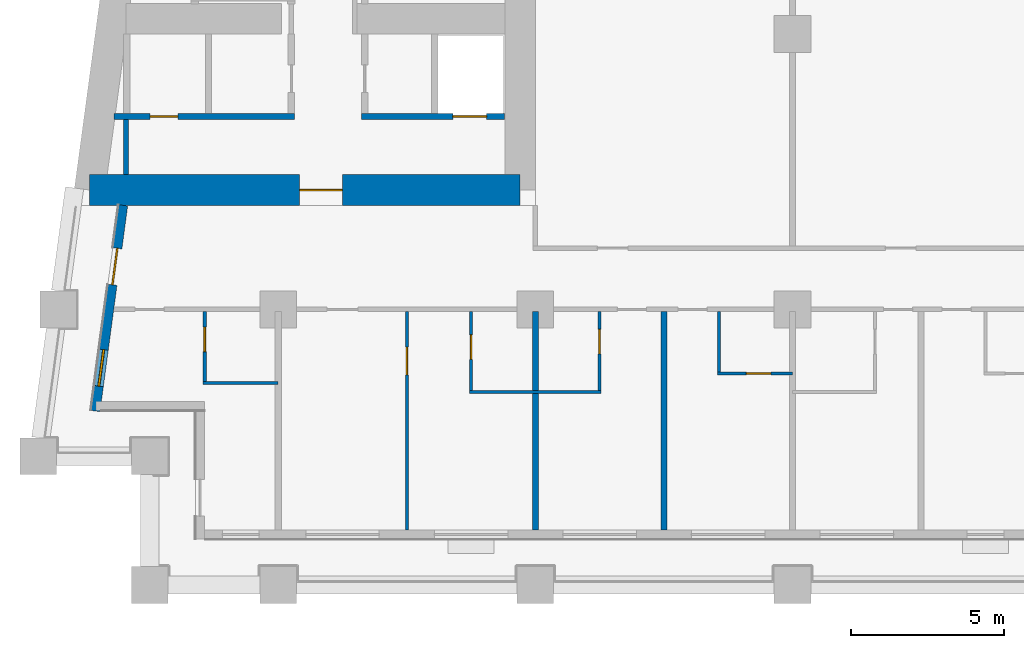
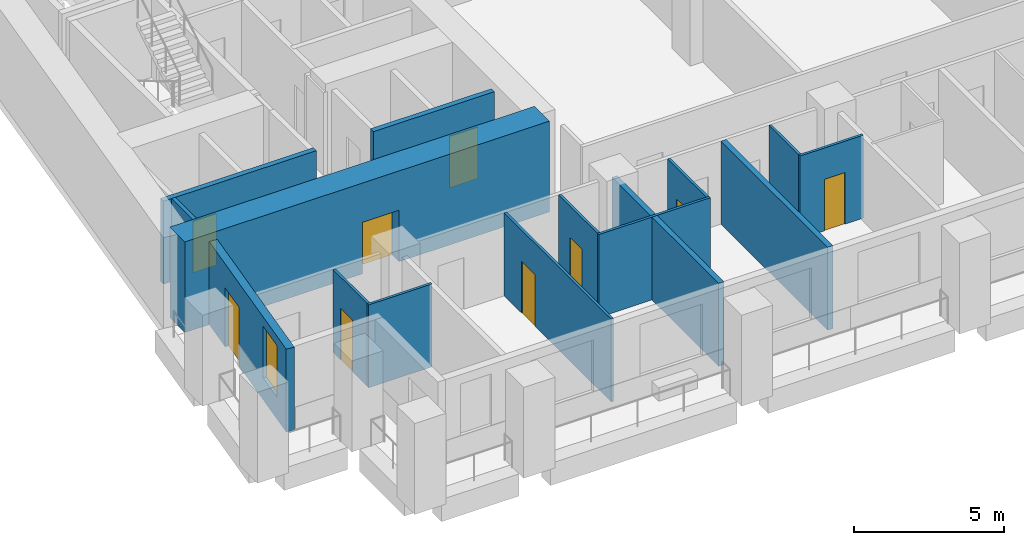
# One storey, part 2 of 13: 15 walls, 9 doors, 1 window, 10 openings.
"""IFC4 building model written with IfcOpenShell, lengths in metres."""

from ifc_helpers import new_model, si_unit, direction, frame, frame_2d, origin, place, context, subcontext, project, spatial, rectangle, extrude, material, layer, layer_set, type_object, element, fill, save


model = new_model("IFC4")

# Units and contexts
model_context = context("Model", 3, precision=1e-05, world=origin(), true_north=direction((0.0, 1.0)))
body_context = subcontext(model_context, "Body", "Model", "MODEL_VIEW")
ifc_project = project(units=[si_unit("LENGTHUNIT", "METRE"), si_unit("AREAUNIT", "SQUARE_METRE"), si_unit("VOLUMEUNIT", "CUBIC_METRE"), si_unit("PLANEANGLEUNIT", "RADIAN"), si_unit("MASSUNIT", "GRAM", prefix="KILO")], contexts=[model_context])

# Site, building, storey
site_placement = place(None, origin())
site = spatial("IfcSite", under=ifc_project, at=site_placement, CompositionType="ELEMENT")
building_placement = place(site_placement, origin())
building = spatial("IfcBuilding", under=site, at=building_placement, Name="Candeia Pilgrim Tower and Theatre", CompositionType="ELEMENT")
storey_placement = place(building_placement, frame((0.0, 0.0, 94.699951171875)))
storey = spatial("IfcBuildingStorey", under=building, at=storey_placement, Name="L21", CompositionType="ELEMENT", Elevation=94.699951171875)

# Wall, opening, door
ifc_material_1 = material(Name="Concrete C70/85", Category="concrete")
ifc_layer_1 = layer(ifc_material_1, 1.0)
ifc_layer_set_1 = layer_set([ifc_layer_1], Name="Core wall 1000 C70/85")
wall_type_1 = type_object("IfcWallType", Name="Core wall 1000 C70/85", PredefinedType="SHEAR", material=ifc_layer_set_1)
wall_1_placement = place(storey_placement, frame((100.300048828125, 110.89990234375, 0.0), z_axis=(0.0, 0.0, 1.0), x_axis=(-1.0, 0.0, 0.0)))
wall_1 = element("IfcWall", 1, at=wall_1_placement, inside=storey, type_object=wall_type_1, Name="Core wall W3", PredefinedType="SHEAR", context=body_context, shape_type="SweptSolid", body=[
    extrude(rectangle(XDim=14.05908203125, YDim=1.0, at=frame_2d((7.029541015625, 0.0))), origin(), (0.0, 0.0, 1.0), 3.699951171875),
])
opening_1_placement = place(wall_1_placement, frame((5.801513671875, 0.0, 0.0)))
opening_1 = element("IfcOpeningElement", 2, at=opening_1_placement, cuts=wall_1, Name="Opening L21-D057", PredefinedType="OPENING", context=body_context, shape_type="SweptSolid", body=[
    extrude(rectangle(XDim=1.39990234375, YDim=2.10009765625, at=frame_2d((0.699951171875, 1.050048828125))), frame((0.0, 0.510009765625, 0.0), z_axis=(0.0, -1.0, 0.0), x_axis=(1.0, 0.0, 0.0)), (0.0, 0.0, 1.0), 1.02001953125),
])
ifc_material_2 = material(Name="Steel fire door set", Category="steel")
door_type_1 = type_object("IfcDoorType", Name="D-1400-FD60", OperationType="NOTDEFINED", PredefinedType="DOOR", material=ifc_material_2)
door_1_placement = place(opening_1_placement, origin())
door_1 = element("IfcDoor", 3, at=door_1_placement, inside=storey, type_object=door_type_1, Name="Door L21-D057", OperationType="SINGLE_SWING_RIGHT", OverallHeight=2.10009765625, OverallWidth=1.39990234375, PredefinedType="DOOR", context=body_context, shape_type="SweptSolid", body=[
    extrude(rectangle(XDim=1.39990234375, YDim=2.10009765625, at=frame_2d((0.699951171875, 1.050048828125))), frame((0.0, 0.02490234375, 0.0), z_axis=(0.0, -1.0, 0.0), x_axis=(1.0, 0.0, 0.0)), (0.0, 0.0, 1.0), 0.050048828125),
])
fill(opening_1, door_1)

# Wall, openings, door, window
ifc_material_3 = material(Name="Ceramic block masonry", Category="masonry")
ifc_layer_2 = layer(ifc_material_3, 0.300048828125)
ifc_layer_set_2 = layer_set([ifc_layer_2], Name="EW1 glazing-line wall 300")
wall_type_2 = type_object("IfcWallType", Name="EW1 glazing-line wall 300", PredefinedType="SOLIDWALL", material=ifc_layer_set_2)
wall_2_placement = place(storey_placement, frame((87.334228515625, 110.39990234375, 0.0), z_axis=(0.0, 0.0, 1.0), x_axis=(-0.133437175554, -0.991057273915, 0.0)))
wall_2 = element("IfcWall", 4, at=wall_2_placement, inside=storey, type_object=wall_type_2, Name="External wall L21-9.1", PredefinedType="SOLIDWALL", context=body_context, shape_type="SweptSolid", body=[
    extrude(rectangle(XDim=6.780517578125, YDim=0.300048828125, at=frame_2d((3.39013671875, 0.0))), origin(), (0.0, 0.0, 1.0), 3.380126953125),
])
opening_2_placement = place(wall_2_placement, frame((1.41796875, 0.0, 0.0)))
opening_2 = element("IfcOpeningElement", 5, at=opening_2_placement, cuts=wall_2, Name="Opening L21-ED223", PredefinedType="OPENING", context=body_context, shape_type="SweptSolid", body=[
    extrude(rectangle(XDim=1.199951171875, YDim=2.39990234375, at=frame_2d((0.60009765625, 1.199951171875))), frame((0.0, 0.16015625, 0.0), z_axis=(0.0, -1.0, 0.0), x_axis=(1.0, 0.0, 0.0)), (0.0, 0.0, 1.0), 0.320068359375),
])
opening_3_placement = place(wall_2_placement, frame((4.75830078125, 0.0, 0.89990234375)))
opening_3 = element("IfcOpeningElement", 6, at=opening_3_placement, cuts=wall_2, Name="Opening W-B", PredefinedType="OPENING", context=body_context, shape_type="SweptSolid", body=[
    extrude(rectangle(XDim=1.199951171875, YDim=2.10009765625, at=frame_2d((0.60009765625, 1.050048828125))), frame((0.0, 0.16015625, 0.0), z_axis=(0.0, -1.0, 0.0), x_axis=(1.0, 0.0, 0.0)), (0.0, 0.0, 1.0), 0.320068359375),
])
ifc_material_4 = material(Name="Aluminium framed glazed door", Category="aluminium")
door_type_2 = type_object("IfcDoorType", Name="Loggia door 1200x2400", OperationType="DOUBLE_DOOR_SINGLE_SWING", PredefinedType="DOOR", material=ifc_material_4)
door_2_placement = place(opening_2_placement, origin())
door_2 = element("IfcDoor", 7, at=door_2_placement, inside=storey, type_object=door_type_2, Name="Loggia door L21-ED223", OperationType="DOUBLE_DOOR_SINGLE_SWING", OverallHeight=2.39990234375, OverallWidth=1.199951171875, PredefinedType="DOOR", context=body_context, shape_type="SweptSolid", body=[
    extrude(rectangle(XDim=1.199951171875, YDim=2.39990234375, at=frame_2d((0.60009765625, 1.199951171875))), frame((0.0, 0.02490234375, 0.0), z_axis=(0.0, -1.0, 0.0), x_axis=(1.0, 0.0, 0.0)), (0.0, 0.0, 1.0), 0.050048828125),
])
fill(opening_2, door_2)
ifc_material_5 = material(Name="Aluminium framed double glazing", Category="aluminium")
window_type = type_object("IfcWindowType", Name="W-B window 1200x2100", PartitioningType="SINGLE_PANEL", PredefinedType="WINDOW", material=ifc_material_5)
window_placement = place(opening_3_placement, origin())
window = element("IfcWindow", 8, at=window_placement, inside=storey, type_object=window_type, Name="Window W-B L21", OverallHeight=2.10009765625, OverallWidth=1.199951171875, PartitioningType="SINGLE_PANEL", PredefinedType="WINDOW", context=body_context, shape_type="SweptSolid", body=[
    extrude(rectangle(XDim=1.199951171875, YDim=2.10009765625, at=frame_2d((0.60009765625, 1.050048828125))), frame((0.0, 0.030029296875, 0.0), z_axis=(0.0, -1.0, 0.0), x_axis=(1.0, 0.0, 0.0)), (0.0, 0.0, 1.0), 0.06005859375),
])
fill(opening_3, window)

# Walls
ifc_material_6 = material(Name="Gypsum board partition on steel studs", Category="steel")
ifc_layer_3 = layer(ifc_material_6, 0.10009765625)
ifc_layer_set_3 = layer_set([ifc_layer_3], Name="PW-100 room partition")
wall_type_3 = type_object("IfcWallType", Name="PW-100 room partition", PredefinedType="PARTITIONING", material=ifc_layer_set_3)
wall_3_placement = place(storey_placement, frame((98.64990234375, 104.300048828125, 0.0), z_axis=(0.0, 0.0, 1.0), x_axis=(1.0, 0.0, 0.0)))
element("IfcWall", 9, at=wall_3_placement, inside=storey, type_object=wall_type_3, Name="Room partition L21-001", PredefinedType="PARTITIONING", context=body_context, shape_type="SweptSolid", body=[
    extrude(rectangle(XDim=4.300048828125, YDim=0.10009765625, at=frame_2d((2.14990234375, 0.0))), origin(), (0.0, 0.0, 1.0), 3.380126953125),
])
wall_4_placement = place(storey_placement, frame((89.949951171875, 104.60009765625, 0.0), z_axis=(0.0, 0.0, 1.0), x_axis=(1.0, 0.0, 0.0)))
element("IfcWall", 10, at=wall_4_placement, inside=storey, type_object=wall_type_3, Name="Room partition L21-004", PredefinedType="PARTITIONING", context=body_context, shape_type="SweptSolid", body=[
    extrude(rectangle(XDim=2.449951171875, YDim=0.10009765625, at=frame_2d((1.22509765625, 0.0))), origin(), (0.0, 0.0, 1.0), 3.380126953125),
])

# Wall, opening, door
wall_5_placement = place(storey_placement, frame((106.75, 104.89990234375, 0.0), z_axis=(0.0, 0.0, 1.0), x_axis=(1.0, 0.0, 0.0)))
wall_5 = element("IfcWall", 11, at=wall_5_placement, inside=storey, type_object=wall_type_3, Name="Room partition L21-007", PredefinedType="PARTITIONING", context=body_context, shape_type="SweptSolid", body=[
    extrude(rectangle(XDim=2.449951171875, YDim=0.10009765625, at=frame_2d((1.22509765625, 0.0))), origin(), (0.0, 0.0, 1.0), 3.380126953125),
])
opening_4_placement = place(wall_5_placement, frame((0.93994140625, 0.0, 0.0)))
opening_4 = element("IfcOpeningElement", 12, at=opening_4_placement, cuts=wall_5, Name="Opening L21-D025", PredefinedType="OPENING", context=body_context, shape_type="SweptSolid", body=[
    extrude(rectangle(XDim=0.800048828125, YDim=2.10009765625, at=frame_2d((0.39990234375, 1.050048828125))), frame((0.0, 0.06005859375, 0.0), z_axis=(0.0, -1.0, 0.0), x_axis=(1.0, 0.0, 0.0)), (0.0, 0.0, 1.0), 0.1201171875),
])
ifc_material_7 = material(Name="Timber door leaf", Category="wood")
door_type_3 = type_object("IfcDoorType", Name="D-800", OperationType="NOTDEFINED", PredefinedType="DOOR", material=ifc_material_7)
door_3_placement = place(opening_4_placement, origin())
door_3 = element("IfcDoor", 13, at=door_3_placement, inside=storey, type_object=door_type_3, Name="Door L21-D025", OperationType="SINGLE_SWING_RIGHT", OverallHeight=2.10009765625, OverallWidth=0.800048828125, PredefinedType="DOOR", context=body_context, shape_type="SweptSolid", body=[
    extrude(rectangle(XDim=0.800048828125, YDim=2.10009765625, at=frame_2d((0.39990234375, 1.050048828125))), frame((0.0, 0.02490234375, 0.0), z_axis=(0.0, -1.0, 0.0), x_axis=(1.0, 0.0, 0.0)), (0.0, 0.0, 1.0), 0.050048828125),
])
fill(opening_4, door_3)

wall_6_placement = place(storey_placement, frame((90.0, 104.64990234375, 0.0), z_axis=(0.0, 0.0, 1.0), x_axis=(0.0, 1.0, 0.0)))
wall_6 = element("IfcWall", 14, at=wall_6_placement, inside=storey, type_object=wall_type_3, Name="Room partition L21-053", PredefinedType="PARTITIONING", context=body_context, shape_type="SweptSolid", body=[
    extrude(rectangle(XDim=2.275146484375, YDim=0.10009765625, at=frame_2d((1.1376953125, 0.0))), origin(), (0.0, 0.0, 1.0), 3.380126953125),
])
opening_5_placement = place(wall_6_placement, frame((0.97509765625, 0.0, 0.0)))
opening_5 = element("IfcOpeningElement", 15, at=opening_5_placement, cuts=wall_6, Name="Opening L21-D018", PredefinedType="OPENING", context=body_context, shape_type="SweptSolid", body=[
    extrude(rectangle(XDim=0.800048828125, YDim=2.10009765625, at=frame_2d((0.39990234375, 1.050048828125))), frame((0.0, 0.06005859375, 0.0), z_axis=(0.0, -1.0, 0.0), x_axis=(1.0, 0.0, 0.0)), (0.0, 0.0, 1.0), 0.1201171875),
])
door_4_placement = place(opening_5_placement, origin())
door_4 = element("IfcDoor", 16, at=door_4_placement, inside=storey, type_object=door_type_3, Name="Door L21-D018", OperationType="SINGLE_SWING_LEFT", OverallHeight=2.10009765625, OverallWidth=0.800048828125, PredefinedType="DOOR", context=body_context, shape_type="SweptSolid", body=[
    extrude(rectangle(XDim=0.800048828125, YDim=2.10009765625, at=frame_2d((0.39990234375, 1.050048828125))), frame((0.0, 0.02490234375, 0.0), z_axis=(0.0, -1.0, 0.0), x_axis=(1.0, 0.0, 0.0)), (0.0, 0.0, 1.0), 0.050048828125),
])
fill(opening_5, door_4)

wall_7_placement = place(storey_placement, frame((96.60009765625, 99.7900390625, 0.0), z_axis=(0.0, 0.0, 1.0), x_axis=(0.0, 1.0, 0.0)))
wall_7 = element("IfcWall", 17, at=wall_7_placement, inside=storey, type_object=wall_type_3, Name="Room partition L21-066", PredefinedType="PARTITIONING", context=body_context, shape_type="SweptSolid", body=[
    extrude(rectangle(XDim=7.135009765625, YDim=0.10009765625, at=frame_2d((3.5673828125, 0.0))), origin(), (0.0, 0.0, 1.0), 3.380126953125),
])
opening_6_placement = place(wall_7_placement, frame((5.074951171875, 0.0, 0.0)))
opening_6 = element("IfcOpeningElement", 18, at=opening_6_placement, cuts=wall_7, Name="Opening L21-D020", PredefinedType="OPENING", context=body_context, shape_type="SweptSolid", body=[
    extrude(rectangle(XDim=0.89990234375, YDim=2.10009765625, at=frame_2d((0.449951171875, 1.050048828125))), frame((0.0, 0.06005859375, 0.0), z_axis=(0.0, -1.0, 0.0), x_axis=(1.0, 0.0, 0.0)), (0.0, 0.0, 1.0), 0.1201171875),
])
door_type_4 = type_object("IfcDoorType", Name="D-900", OperationType="NOTDEFINED", PredefinedType="DOOR", material=ifc_material_7)
door_5_placement = place(opening_6_placement, origin())
door_5 = element("IfcDoor", 19, at=door_5_placement, inside=storey, type_object=door_type_4, Name="Door L21-D020", OperationType="SINGLE_SWING_LEFT", OverallHeight=2.10009765625, OverallWidth=0.89990234375, PredefinedType="DOOR", context=body_context, shape_type="SweptSolid", body=[
    extrude(rectangle(XDim=0.89990234375, YDim=2.10009765625, at=frame_2d((0.449951171875, 1.050048828125))), frame((0.0, 0.02490234375, 0.0), z_axis=(0.0, -1.0, 0.0), x_axis=(1.0, 0.0, 0.0)), (0.0, 0.0, 1.0), 0.050048828125),
])
fill(opening_6, door_5)

wall_8_placement = place(storey_placement, frame((98.699951171875, 104.35009765625, 0.0), z_axis=(0.0, 0.0, 1.0), x_axis=(0.0, 1.0, 0.0)))
wall_8 = element("IfcWall", 20, at=wall_8_placement, inside=storey, type_object=wall_type_3, Name="Room partition L21-071", PredefinedType="PARTITIONING", context=body_context, shape_type="SweptSolid", body=[
    extrude(rectangle(XDim=2.574951171875, YDim=0.10009765625, at=frame_2d((1.28759765625, 0.0))), origin(), (0.0, 0.0, 1.0), 3.380126953125),
])
opening_7_placement = place(wall_8_placement, frame((1.02001953125, 0.0, 0.0)))
opening_7 = element("IfcOpeningElement", 21, at=opening_7_placement, cuts=wall_8, Name="Opening L21-D021", PredefinedType="OPENING", context=body_context, shape_type="SweptSolid", body=[
    extrude(rectangle(XDim=0.800048828125, YDim=2.10009765625, at=frame_2d((0.39990234375, 1.050048828125))), frame((0.0, 0.06005859375, 0.0), z_axis=(0.0, -1.0, 0.0), x_axis=(1.0, 0.0, 0.0)), (0.0, 0.0, 1.0), 0.1201171875),
])
door_6_placement = place(opening_7_placement, origin())
door_6 = element("IfcDoor", 22, at=door_6_placement, inside=storey, type_object=door_type_3, Name="Door L21-D021", OperationType="SINGLE_SWING_RIGHT", OverallHeight=2.10009765625, OverallWidth=0.800048828125, PredefinedType="DOOR", context=body_context, shape_type="SweptSolid", body=[
    extrude(rectangle(XDim=0.800048828125, YDim=2.10009765625, at=frame_2d((0.39990234375, 1.050048828125))), frame((0.0, 0.02490234375, 0.0), z_axis=(0.0, -1.0, 0.0), x_axis=(1.0, 0.0, 0.0)), (0.0, 0.0, 1.0), 0.050048828125),
])
fill(opening_7, door_6)

wall_9_placement = place(storey_placement, frame((102.89990234375, 104.35009765625, 0.0), z_axis=(0.0, 0.0, 1.0), x_axis=(0.0, 1.0, 0.0)))
wall_9 = element("IfcWall", 23, at=wall_9_placement, inside=storey, type_object=wall_type_3, Name="Room partition L21-076", PredefinedType="PARTITIONING", context=body_context, shape_type="SweptSolid", body=[
    extrude(rectangle(XDim=2.574951171875, YDim=0.10009765625, at=frame_2d((1.28759765625, 0.0))), origin(), (0.0, 0.0, 1.0), 3.380126953125),
])
opening_8_placement = place(wall_9_placement, frame((1.199951171875, 0.0, 0.0)))
opening_8 = element("IfcOpeningElement", 24, at=opening_8_placement, cuts=wall_9, Name="Opening L21-D023", PredefinedType="OPENING", context=body_context, shape_type="SweptSolid", body=[
    extrude(rectangle(XDim=0.800048828125, YDim=2.10009765625, at=frame_2d((0.39990234375, 1.050048828125))), frame((0.0, 0.06005859375, 0.0), z_axis=(0.0, -1.0, 0.0), x_axis=(1.0, 0.0, 0.0)), (0.0, 0.0, 1.0), 0.1201171875),
])
door_7_placement = place(opening_8_placement, origin())
door_7 = element("IfcDoor", 25, at=door_7_placement, inside=storey, type_object=door_type_3, Name="Door L21-D023", OperationType="SINGLE_SWING_RIGHT", OverallHeight=2.10009765625, OverallWidth=0.800048828125, PredefinedType="DOOR", context=body_context, shape_type="SweptSolid", body=[
    extrude(rectangle(XDim=0.800048828125, YDim=2.10009765625, at=frame_2d((0.39990234375, 1.050048828125))), frame((0.0, 0.02490234375, 0.0), z_axis=(0.0, -1.0, 0.0), x_axis=(1.0, 0.0, 0.0)), (0.0, 0.0, 1.0), 0.050048828125),
])
fill(opening_8, door_7)

# Walls
wall_10_placement = place(storey_placement, frame((106.800048828125, 104.949951171875, 0.0), z_axis=(0.0, 0.0, 1.0), x_axis=(0.0, 1.0, 0.0)))
element("IfcWall", 26, at=wall_10_placement, inside=storey, type_object=wall_type_3, Name="Room partition L21-079", PredefinedType="PARTITIONING", context=body_context, shape_type="SweptSolid", body=[
    extrude(rectangle(XDim=1.97509765625, YDim=0.10009765625, at=frame_2d((0.987548828125, 0.0))), origin(), (0.0, 0.0, 1.0), 3.380126953125),
])
ifc_layer_4 = layer(ifc_material_6, 0.14990234375)
ifc_layer_set_4 = layer_set([ifc_layer_4], Name="PW-150 lobby wall")
wall_type_4 = type_object("IfcWallType", Name="PW-150 lobby wall", PredefinedType="PARTITIONING", material=ifc_layer_set_4)
wall_11_placement = place(storey_placement, frame((87.428955078125, 111.39990234375, 0.0), z_axis=(0.0, 0.0, 1.0), x_axis=(0.0, 1.0, 0.0)))
element("IfcWall", 27, at=wall_11_placement, inside=storey, type_object=wall_type_4, Name="Lobby wall L21-050", PredefinedType="PARTITIONING", context=body_context, shape_type="SweptSolid", body=[
    extrude(rectangle(XDim=1.800048828125, YDim=0.14990234375, at=frame_2d((0.89990234375, 0.0))), origin(), (0.0, 0.0, 1.0), 3.380126953125),
])
ifc_layer_5 = layer(ifc_material_6, 0.199951171875)
ifc_layer_set_5 = layer_set([ifc_layer_5], Name="PW-200 party wall")
wall_type_5 = type_object("IfcWallType", Name="PW-200 party wall", PredefinedType="PARTITIONING", material=ifc_layer_set_5)
for number, where, z_axis, x_axis, name in (
    (28, (100.800048828125, 99.7900390625, 0.0), (0.0, 0.0, 1.0), (0.0, 1.0, 0.0), "Party wall L21-072"),
    (29, (105.0, 99.7900390625, 0.0), (0.0, 0.0, 1.0), (0.0, 1.0, 0.0), "Party wall L21-078"),
):
    element("IfcWall", number, at=place(storey_placement, frame(where, z_axis=z_axis, x_axis=x_axis)), inside=storey, type_object=wall_type_5, Name=name, PredefinedType="PARTITIONING", context=body_context, shape_type="SweptSolid", body=[
        extrude(rectangle(XDim=7.135009765625, YDim=0.199951171875, at=frame_2d((3.5673828125, 0.0))), origin(), (0.0, 0.0, 1.0), 3.380126953125),
    ])

# Wall, opening, door
ifc_material_8 = material(Name="Concrete C40/50", Category="concrete")
ifc_layer_6 = layer(ifc_material_8, 0.199951171875)
ifc_layer_set_6 = layer_set([ifc_layer_6], Name="SW-200 shaft wall")
wall_type_6 = type_object("IfcWallType", Name="SW-200 shaft wall", PredefinedType="PARTITIONING", material=ifc_layer_set_6)
wall_12_placement = place(storey_placement, frame((87.03857421875, 113.300048828125, 0.0), z_axis=(0.0, 0.0, 1.0), x_axis=(1.0, 0.0, 0.0)))
wall_12 = element("IfcWall", 30, at=wall_12_placement, inside=storey, type_object=wall_type_6, Name="Shaft wall L21-012", PredefinedType="PARTITIONING", context=body_context, shape_type="SweptSolid", body=[
    extrude(rectangle(XDim=5.888427734375, YDim=0.199951171875, at=frame_2d((2.9443359375, 0.0))), origin(), (0.0, 0.0, 1.0), 3.380126953125),
])
opening_9_placement = place(wall_12_placement, frame((1.180419921875, 0.0, 0.0)))
opening_9 = element("IfcOpeningElement", 31, at=opening_9_placement, cuts=wall_12, Name="Opening L21-D007", PredefinedType="OPENING", context=body_context, shape_type="SweptSolid", body=[
    extrude(rectangle(XDim=0.89990234375, YDim=2.10009765625, at=frame_2d((0.449951171875, 1.050048828125))), frame((0.0, 0.10986328125, 0.0), z_axis=(0.0, -1.0, 0.0), x_axis=(1.0, 0.0, 0.0)), (0.0, 0.0, 1.0), 0.219970703125),
])
door_type_5 = type_object("IfcDoorType", Name="D-900-FD60", OperationType="NOTDEFINED", PredefinedType="DOOR", material=ifc_material_2)
door_8_placement = place(opening_9_placement, origin())
door_8 = element("IfcDoor", 32, at=door_8_placement, inside=storey, type_object=door_type_5, Name="Door L21-D007", OperationType="SINGLE_SWING_LEFT", OverallHeight=2.10009765625, OverallWidth=0.89990234375, PredefinedType="DOOR", context=body_context, shape_type="SweptSolid", body=[
    extrude(rectangle(XDim=0.89990234375, YDim=2.10009765625, at=frame_2d((0.449951171875, 1.050048828125))), frame((0.0, 0.02490234375, 0.0), z_axis=(0.0, -1.0, 0.0), x_axis=(1.0, 0.0, 0.0)), (0.0, 0.0, 1.0), 0.050048828125),
])
fill(opening_9, door_8)

wall_13_placement = place(storey_placement, frame((95.126953125, 113.300048828125, 0.0), z_axis=(0.0, 0.0, 1.0), x_axis=(1.0, 0.0, 0.0)))
wall_13 = element("IfcWall", 33, at=wall_13_placement, inside=storey, type_object=wall_type_6, Name="Shaft wall L21-013", PredefinedType="PARTITIONING", context=body_context, shape_type="SweptSolid", body=[
    extrude(rectangle(XDim=4.673095703125, YDim=0.199951171875, at=frame_2d((2.33642578125, 0.0))), origin(), (0.0, 0.0, 1.0), 3.380126953125),
])
opening_10_placement = place(wall_13_placement, frame((2.97998046875, 0.0, 0.0)))
opening_10 = element("IfcOpeningElement", 34, at=opening_10_placement, cuts=wall_13, Name="Opening L21-LD03", PredefinedType="OPENING", context=body_context, shape_type="SweptSolid", body=[
    extrude(rectangle(XDim=1.10009765625, YDim=2.10009765625, at=frame_2d((0.550048828125, 1.050048828125))), frame((0.0, 0.10986328125, 0.0), z_axis=(0.0, -1.0, 0.0), x_axis=(1.0, 0.0, 0.0)), (0.0, 0.0, 1.0), 0.219970703125),
])
ifc_material_9 = material(Name="Glazed aluminium landing door", Category="aluminium")
door_type_6 = type_object("IfcDoorType", Name="LD-1100-EI120", OperationType="SLIDING_TO_LEFT", PredefinedType="DOOR", material=ifc_material_9)
door_9_placement = place(opening_10_placement, origin())
door_9 = element("IfcDoor", 35, at=door_9_placement, inside=storey, type_object=door_type_6, Name="Landing door 03 L21", OperationType="SLIDING_TO_LEFT", OverallHeight=2.10009765625, OverallWidth=1.10009765625, PredefinedType="DOOR", context=body_context, shape_type="SweptSolid", body=[
    extrude(rectangle(XDim=1.10009765625, YDim=2.10009765625, at=frame_2d((0.550048828125, 1.050048828125))), frame((0.0, 0.02490234375, 0.0), z_axis=(0.0, -1.0, 0.0), x_axis=(1.0, 0.0, 0.0)), (0.0, 0.0, 1.0), 0.050048828125),
])
fill(opening_10, door_9)

save(model, "model.ifc")
